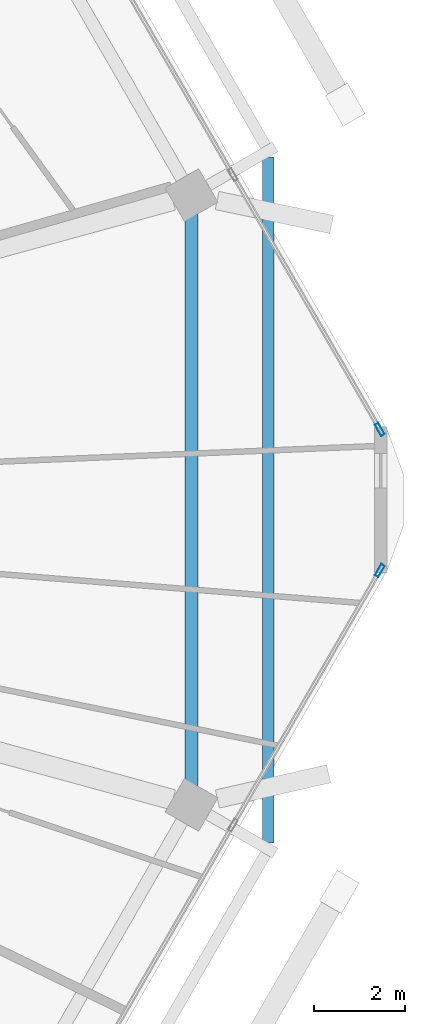
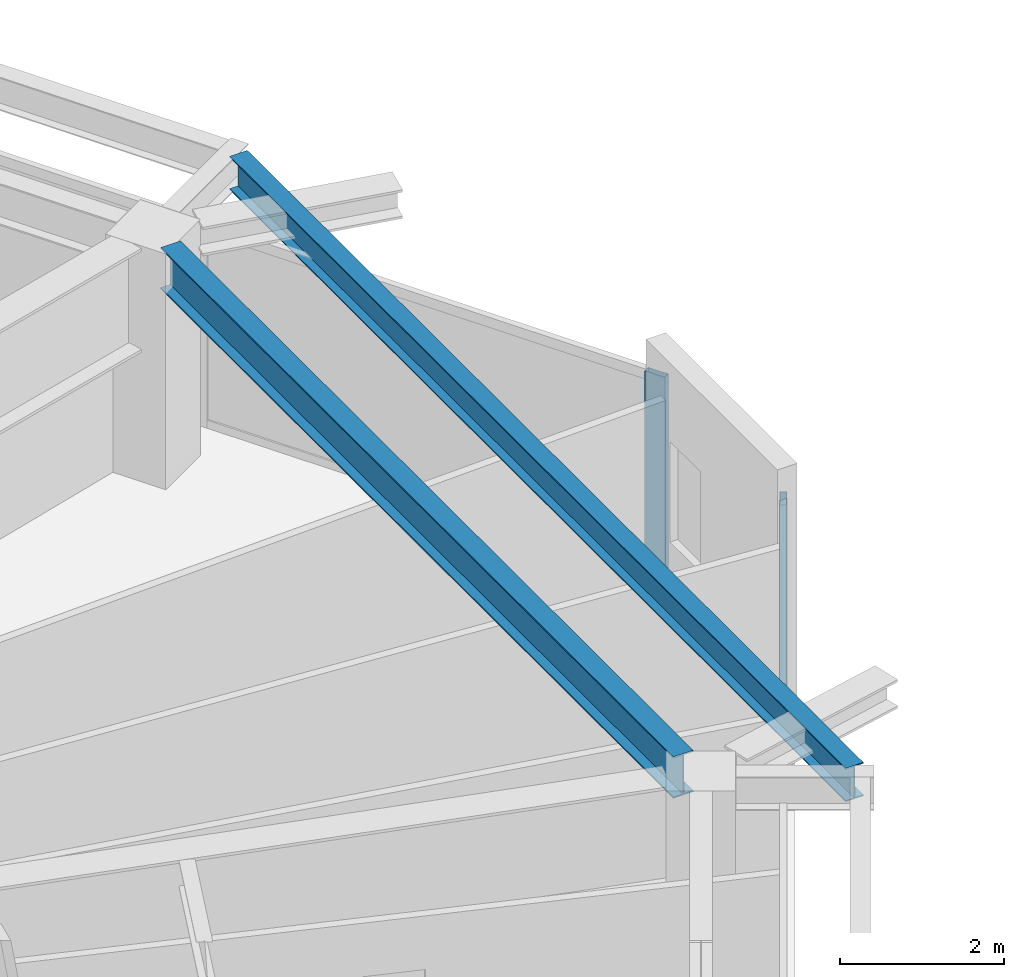
# One storey, part 11 of 26: 2 beams, 2 members, 2 elements without a shape of their own.
"""IFC4 building model written with IfcOpenShell, lengths in metres."""

from ifc_helpers import new_model, si_unit, direction, frame, origin, origin_2d, place, context, subcontext, project, spatial, hollow_rectangle, i_section, extrude, material, material_profile, profile_set, type_object, element, aggregate, save


model = new_model("IFC4")

# Units and contexts
model_context = context("Model", 3, precision=1e-05, world=origin(), true_north=direction((0.0, 1.0)))
body_context = subcontext(model_context, "Body", "Model", "MODEL_VIEW")
ifc_project = project(units=[si_unit("LENGTHUNIT", "METRE"), si_unit("AREAUNIT", "SQUARE_METRE"), si_unit("VOLUMEUNIT", "CUBIC_METRE"), si_unit("PLANEANGLEUNIT", "RADIAN"), si_unit("MASSUNIT", "GRAM", prefix="KILO")], contexts=[model_context])

# Site, building, storey
site_placement = place(None, origin())
site = spatial("IfcSite", under=ifc_project, at=site_placement, CompositionType="ELEMENT")
building_placement = place(site_placement, origin())
building = spatial("IfcBuilding", under=site, at=building_placement, Name="Zuhravey Tower", CompositionType="ELEMENT")
storey_placement = place(building_placement, frame((0.0, 0.0, 299.60009765625)))
storey = spatial("IfcBuildingStorey", under=building, at=storey_placement, Name="L76", CompositionType="ELEMENT", Elevation=299.60009765625)

# Curtain wall, member
ifc_material_1 = material(Name="Thermally broken anodised aluminium", Category="aluminium")
curtain_wall_type = type_object("IfcCurtainWallType", Name="Zone 3-4 High-Rise Curtain Wall CW4", PredefinedType="NOTDEFINED", material=ifc_material_1)
curtain_wall_1_placement = place(storey_placement, origin())
curtain_wall_1 = element("IfcCurtainWall", 1, at=curtain_wall_1_placement, inside=storey, type_object=curtain_wall_type, Name="L76 CW4 CW-L76-F6-1", PredefinedType="NOTDEFINED")
ifc_material_2 = material(Name="Anodised aluminium", Category="aluminium")
ifc_material_profile_1 = material_profile(ifc_material_2, hollow_rectangle(XDim=0.090087890625, YDim=0.284912109375, WallThickness=0.0048828125, at=origin_2d()), Name="ALU-RHS-90x285x5")
ifc_profile_set_1 = profile_set([ifc_material_profile_1], Name="Anodised aluminium")
member_type = type_object("IfcMemberType", Name="Curtain-Wall Mullion 90x180", PredefinedType="MULLION", material=ifc_profile_set_1)
member_1_placement = place(storey_placement, frame((64.62255859375, 30.448486328125, 0.0), z_axis=(0.0, 0.0, 1.0), x_axis=(0.866024851021, -0.500000957414, 0.0)))
member_1 = element("IfcMember", 2, at=member_1_placement, type_object=member_type, Name="CW4 mullion 1", PredefinedType="MULLION", context=body_context, shape_type="SweptSolid", body=[
    extrude(hollow_rectangle(XDim=0.090087890625, YDim=0.284912109375, WallThickness=0.0048828125, at=origin_2d()), origin(), (0.0, 0.0, 1.0), 3.02001953125),
])
aggregate(curtain_wall_1, [member_1])

curtain_wall_2_placement = place(storey_placement, origin())
curtain_wall_2 = element("IfcCurtainWall", 3, at=curtain_wall_2_placement, inside=storey, type_object=curtain_wall_type, Name="L76 CW4 CW-L76-F1-1", PredefinedType="NOTDEFINED")
member_2_placement = place(storey_placement, frame((64.62255859375, 33.551513671875, 0.0), z_axis=(0.0, 0.0, 1.0), x_axis=(0.866024851021, 0.500000957414, 0.0)))
member_2 = element("IfcMember", 4, at=member_2_placement, type_object=member_type, Name="CW4 mullion 5", PredefinedType="MULLION", context=body_context, shape_type="SweptSolid", body=[
    extrude(hollow_rectangle(XDim=0.090087890625, YDim=0.284912109375, WallThickness=0.0048828125, at=origin_2d()), origin(), (0.0, 0.0, 1.0), 3.02001953125),
])
aggregate(curtain_wall_2, [member_2])

# Beams
ifc_material_3 = material(Name="Steel SM355", Category="steel")
ifc_material_profile_2 = material_profile(ifc_material_3, i_section(OverallWidth=0.280029296875, OverallDepth=0.6201171875, WebThickness=0.011962890625, FlangeThickness=0.02001953125, at=origin_2d()), Name="H-620x280x12x20")
ifc_profile_set_2 = profile_set([ifc_material_profile_2], Name="Steel SM355")
beam_type_1 = type_object("IfcBeamType", Name="Perimeter Ring Beam H620x280", PredefinedType="BEAM", material=ifc_profile_set_2)
beam_1_placement = place(storey_placement, frame((60.484619140625, 25.72900390625, 3.2099609375), z_axis=(0.0, 1.0, 0.0), x_axis=(-1.0, 0.0, 0.0)))
element("IfcBeam", 5, at=beam_1_placement, inside=storey, type_object=beam_type_1, Name="L76 PB3 BM-L76-PB-12", PredefinedType="BEAM", context=body_context, shape_type="SweptSolid", body=[
    extrude(i_section(OverallWidth=0.280029296875, OverallDepth=0.6201171875, WebThickness=0.011962890625, FlangeThickness=0.02001953125, at=origin_2d()), origin(), (0.0, 0.0, 1.0), 12.5419921875),
])
ifc_material_profile_3 = material_profile(ifc_material_3, i_section(OverallWidth=0.25, OverallDepth=0.5, WebThickness=0.010009765625, FlangeThickness=0.01611328125, at=origin_2d()), Name="H-500x250x10x16")
ifc_profile_set_3 = profile_set([ifc_material_profile_3], Name="Steel SM355")
beam_type_2 = type_object("IfcBeamType", Name="Tray Cantilever Spandrel H500x250", PredefinedType="SPANDREL", material=ifc_profile_set_3)
beam_2_placement = place(storey_placement, frame((62.173095703125, 24.466064453125, 3.27001953125), z_axis=(0.0, 1.0, 0.0), x_axis=(-1.0, 0.0, 0.0)))
element("IfcBeam", 6, at=beam_2_placement, inside=storey, type_object=beam_type_2, Name="L76 Sky-Tray Edge Spandrel TSB1-12", PredefinedType="SPANDREL", context=body_context, shape_type="SweptSolid", body=[
    extrude(i_section(OverallWidth=0.25, OverallDepth=0.5, WebThickness=0.010009765625, FlangeThickness=0.01611328125, at=origin_2d()), origin(), (0.0, 0.0, 1.0), 15.06787109375),
])

save(model, "model.ifc")
